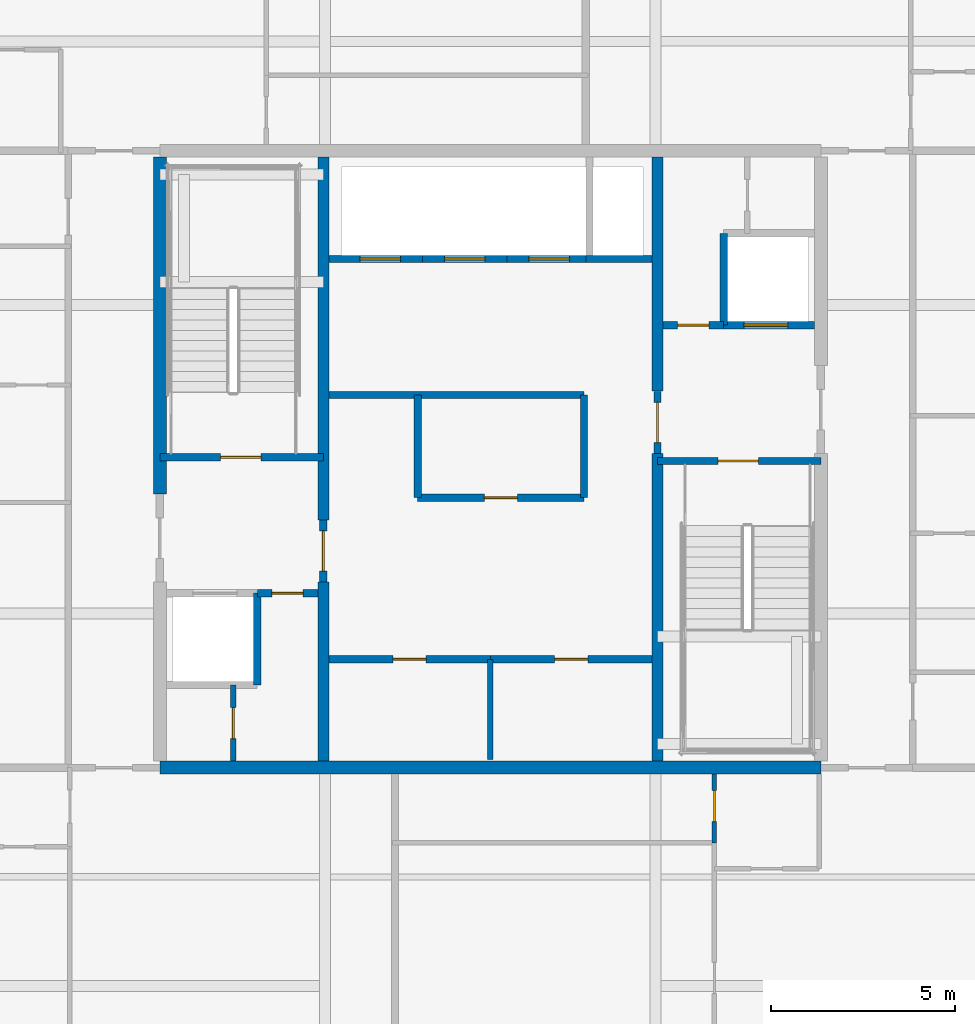
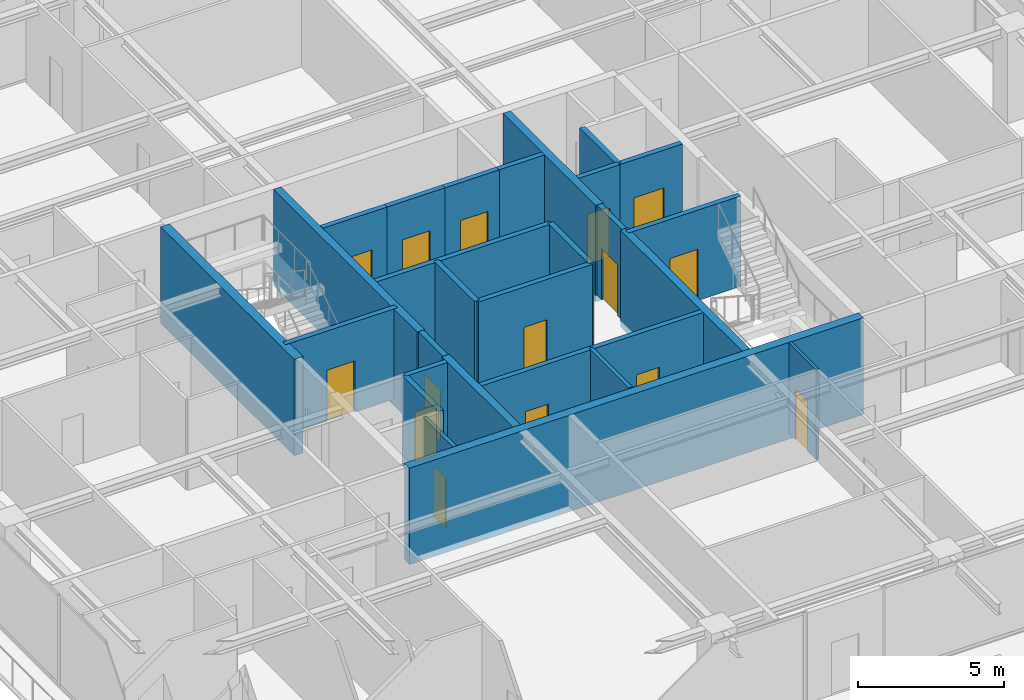
# One storey, part 32 of 42: 28 walls, 15 doors, 15 openings.
"""IFC4 building model written with IfcOpenShell, lengths in metres."""

from ifc_helpers import new_model, si_unit, direction, frame, frame_2d, origin, place, context, subcontext, project, spatial, rectangle, extrude, source, transform, mapped, material, layer, layer_set, type_object, element, fill, save


model = new_model("IFC4")

# Units and contexts
model_context = context("Model", 3, precision=1e-05, world=origin(), true_north=direction((0.0, 1.0)))
body_context = subcontext(model_context, "Body", "Model", "MODEL_VIEW")
ifc_project = project(units=[si_unit("LENGTHUNIT", "METRE"), si_unit("AREAUNIT", "SQUARE_METRE"), si_unit("VOLUMEUNIT", "CUBIC_METRE"), si_unit("PLANEANGLEUNIT", "RADIAN"), si_unit("MASSUNIT", "GRAM", prefix="KILO")], contexts=[model_context])

# Site, building, storey
site_placement = place(None, origin())
site = spatial("IfcSite", under=ifc_project, at=site_placement, CompositionType="ELEMENT")
building_placement = place(site_placement, origin())
building = spatial("IfcBuilding", under=site, at=building_placement, Name="Serunith Strait Residences", CompositionType="ELEMENT")
storey_placement = place(building_placement, frame((0.0, 0.0, 297.5)))
storey = spatial("IfcBuildingStorey", under=building, at=storey_placement, Name="L74", CompositionType="ELEMENT", Elevation=297.5)

# Wall, opening, door
ifc_material_1 = material(Name="Fire-rated masonry service closet wall", Category="masonry")
ifc_layer_1 = layer(ifc_material_1, 0.14990234375, Name="Fire-rated masonry service closet wall")
ifc_layer_set_1 = layer_set([ifc_layer_1], Name="Fire-rated masonry service closet wall")
wall_type_1 = type_object("IfcWallType", Name="IW-BOH-150", PredefinedType="PARTITIONING", material=ifc_layer_set_1)
wall_1_placement = place(storey_placement, frame((25.39990234375, 16.97509765625, 0.0), z_axis=(0.0, 0.0, 1.0), x_axis=(0.0, 1.0, 0.0)))
wall_1 = element("IfcWall", 1, at=wall_1_placement, inside=storey, type_object=wall_type_1, Name="L74 Partition Wall 011", PredefinedType="PARTITIONING", context=body_context, shape_type="SweptSolid", body=[
    extrude(rectangle(XDim=2.074951171875, YDim=0.14990234375, at=frame_2d((1.03759765625, 0.0))), origin(), (0.0, 0.0, 1.0), 3.7900390625),
])
opening_1_placement = place(wall_1_placement, frame((0.612060546875, 0.0, 0.0)))
opening_1 = element("IfcOpeningElement", 2, at=opening_1_placement, cuts=wall_1, Name="Opening FD-850", PredefinedType="OPENING", context=body_context, shape_type="SweptSolid", body=[
    extrude(rectangle(XDim=0.85009765625, YDim=2.10009765625, at=frame_2d((0.425048828125, 1.050048828125))), frame((0.0, 0.0849609375, 0.0), z_axis=(0.0, -1.0, 0.0), x_axis=(1.0, 0.0, 0.0)), (0.0, 0.0, 1.0), 0.169921875),
])
ifc_material_2 = material(Name="Powder-coated steel service closet door", Category="steel")
door_type_1 = type_object("IfcDoorType", Name="FD-BOH-850", OperationType="NOTDEFINED", PredefinedType="DOOR", material=ifc_material_2)
shared_shape_1 = source(origin(), body_context, "Body", "SweptSolid", [
    extrude(rectangle(XDim=0.85009765625, YDim=2.10009765625, at=frame_2d((0.425048828125, 1.050048828125))), frame((0.0, 0.02490234375, 0.0), z_axis=(0.0, -1.0, 0.0), x_axis=(1.0, 0.0, 0.0)), (0.0, 0.0, 1.0), 0.050048828125),
])
door_1_placement = place(opening_1_placement, origin())
door_1 = element("IfcDoor", 3, at=door_1_placement, inside=storey, type_object=door_type_1, Name="L74 Sprinkler Plant Door", OperationType="SINGLE_SWING_LEFT", OverallHeight=2.10009765625, OverallWidth=0.85009765625, PredefinedType="DOOR", context=body_context, shape_type="MappedRepresentation", body=[
    mapped(shared_shape_1, transform((0.0, 0.0, 0.0), scale=1.0)),
])
fill(opening_1, door_1)

# Wall
wall_2_placement = place(storey_placement, frame((32.39990234375, 17.02001953125, 0.0), z_axis=(0.0, 0.0, 1.0), x_axis=(0.0, 1.0, 0.0)))
element("IfcWall", 4, at=wall_2_placement, inside=storey, type_object=wall_type_1, Name="L74 Partition Wall 015", PredefinedType="PARTITIONING", context=body_context, shape_type="SweptSolid", body=[
    extrude(rectangle(XDim=2.72998046875, YDim=0.14990234375, at=frame_2d((1.364990234375, 0.0))), origin(), (0.0, 0.0, 1.0), 3.7900390625),
])

# Wall, opening, door
ifc_material_3 = material(Name="Lightweight steel-stud gypsum partition", Category="steel")
ifc_layer_2 = layer(ifc_material_3, 0.1201171875, Name="Lightweight steel-stud gypsum partition")
ifc_layer_set_2 = layer_set([ifc_layer_2], Name="Lightweight steel-stud gypsum partition")
wall_type_2 = type_object("IfcWallType", Name="IW-PART-120", PredefinedType="PARTITIONING", material=ifc_layer_set_2)
wall_3_placement = place(storey_placement, frame((38.5, 14.751953125, 0.0), z_axis=(0.0, 0.0, 1.0), x_axis=(0.0, 1.0, 0.0)))
wall_3 = element("IfcWall", 5, at=wall_3_placement, inside=storey, type_object=wall_type_2, Name="L74 Partition Wall 051", PredefinedType="PARTITIONING", context=body_context, shape_type="SweptSolid", body=[
    extrude(rectangle(XDim=1.873046875, YDim=0.1201171875, at=frame_2d((0.9365234375, 0.0))), origin(), (0.0, 0.0, 1.0), 3.7900390625),
])
opening_2_placement = place(wall_3_placement, frame((0.574951171875, 0.0, 0.0)))
opening_2 = element("IfcOpeningElement", 6, at=opening_2_placement, cuts=wall_3, Name="Opening D-BTH850", PredefinedType="OPENING", context=body_context, shape_type="SweptSolid", body=[
    extrude(rectangle(XDim=0.85009765625, YDim=2.10009765625, at=frame_2d((0.425048828125, 1.050048828125))), frame((0.0, 0.070068359375, 0.0), z_axis=(0.0, -1.0, 0.0), x_axis=(1.0, 0.0, 0.0)), (0.0, 0.0, 1.0), 0.14013671875),
])
ifc_material_4 = material(Name="Moisture-resistant timber bathroom door", Category="wood")
door_type_2 = type_object("IfcDoorType", Name="ID-BATH-850", OperationType="NOTDEFINED", PredefinedType="DOOR", material=ifc_material_4)
door_2_placement = place(opening_2_placement, origin())
door_2 = element("IfcDoor", 7, at=door_2_placement, inside=storey, type_object=door_type_2, Name="L74 Bathroom 7402 Door", OperationType="SINGLE_SWING_RIGHT", OverallHeight=2.10009765625, OverallWidth=0.85009765625, PredefinedType="DOOR", context=body_context, shape_type="MappedRepresentation", body=[
    mapped(shared_shape_1, transform((0.0, 0.0, 0.0), scale=1.0)),
])
fill(opening_2, door_2)

ifc_material_5 = material(Name="Autoclaved aerated concrete blockwork", Category="masonry")
ifc_layer_3 = layer(ifc_material_5, 0.199951171875, Name="Autoclaved aerated concrete blockwork")
ifc_layer_set_3 = layer_set([ifc_layer_3], Name="Autoclaved aerated concrete blockwork")
wall_type_3 = type_object("IfcWallType", Name="IW-SHAFT-200", PredefinedType="STANDARD", material=ifc_layer_set_3)
wall_4_placement = place(storey_placement, frame((23.39990234375, 25.25, 0.0), z_axis=(0.0, 0.0, 1.0), x_axis=(1.0, 0.0, 0.0)))
wall_4 = element("IfcWall", 8, at=wall_4_placement, inside=storey, type_object=wall_type_3, Name="L74 ST-1 South Shaft Wall", PredefinedType="STANDARD", context=body_context, shape_type="SweptSolid", body=[
    extrude(rectangle(XDim=4.4501953125, YDim=0.199951171875, at=frame_2d((2.22509765625, 0.0))), origin(), (0.0, 0.0, 1.0), 3.7900390625),
])
opening_3_placement = place(wall_4_placement, frame((1.64990234375, 0.0, 0.0)))
opening_3 = element("IfcOpeningElement", 9, at=opening_3_placement, cuts=wall_4, Name="Opening FD-1100", PredefinedType="OPENING", context=body_context, shape_type="SweptSolid", body=[
    extrude(rectangle(XDim=1.10009765625, YDim=2.14990234375, at=frame_2d((0.550048828125, 1.074951171875))), frame((0.0, 0.10986328125, 0.0), z_axis=(0.0, -1.0, 0.0), x_axis=(1.0, 0.0, 0.0)), (0.0, 0.0, 1.0), 0.219970703125),
])
ifc_material_6 = material(Name="Galvanised steel fire door leaf", Category="steel")
door_type_3 = type_object("IfcDoorType", Name="FD-STAIR-1100", OperationType="NOTDEFINED", PredefinedType="DOOR", material=ifc_material_6)
shared_shape_2 = source(origin(), body_context, "Body", "SweptSolid", [
    extrude(rectangle(XDim=1.10009765625, YDim=2.14990234375, at=frame_2d((0.550048828125, 1.074951171875))), frame((0.0, 0.02490234375, 0.0), z_axis=(0.0, -1.0, 0.0), x_axis=(1.0, 0.0, 0.0)), (0.0, 0.0, 1.0), 0.050048828125),
])
door_3_placement = place(opening_3_placement, origin())
door_3 = element("IfcDoor", 10, at=door_3_placement, inside=storey, type_object=door_type_3, Name="L74 ST-1 Escape Stair Door", OperationType="SINGLE_SWING_RIGHT", OverallHeight=2.14990234375, OverallWidth=1.10009765625, PredefinedType="DOOR", context=body_context, shape_type="MappedRepresentation", body=[
    mapped(shared_shape_2, transform((0.0, 0.0, 0.0), scale=1.0)),
])
fill(opening_3, door_3)

wall_5_placement = place(storey_placement, frame((36.949951171875, 25.14990234375, 0.0), z_axis=(0.0, 0.0, 1.0), x_axis=(1.0, 0.0, 0.0)))
wall_5 = element("IfcWall", 11, at=wall_5_placement, inside=storey, type_object=wall_type_3, Name="L74 ST-2 North Shaft Wall", PredefinedType="STANDARD", context=body_context, shape_type="SweptSolid", body=[
    extrude(rectangle(XDim=4.449951171875, YDim=0.199951171875, at=frame_2d((2.22509765625, 0.0))), origin(), (0.0, 0.0, 1.0), 3.7900390625),
])
opening_4_placement = place(wall_5_placement, frame((1.64990234375, 0.0, 0.0)))
opening_4 = element("IfcOpeningElement", 12, at=opening_4_placement, cuts=wall_5, Name="Opening FD-1100", PredefinedType="OPENING", context=body_context, shape_type="SweptSolid", body=[
    extrude(rectangle(XDim=1.10009765625, YDim=2.14990234375, at=frame_2d((0.550048828125, 1.074951171875))), frame((0.0, 0.10986328125, 0.0), z_axis=(0.0, -1.0, 0.0), x_axis=(1.0, 0.0, 0.0)), (0.0, 0.0, 1.0), 0.219970703125),
])
door_4_placement = place(opening_4_placement, origin())
door_4 = element("IfcDoor", 13, at=door_4_placement, inside=storey, type_object=door_type_3, Name="L74 ST-2 Escape Stair Door", OperationType="SINGLE_SWING_LEFT", OverallHeight=2.14990234375, OverallWidth=1.10009765625, PredefinedType="DOOR", context=body_context, shape_type="MappedRepresentation", body=[
    mapped(shared_shape_2, transform((0.0, 0.0, 0.0), scale=1.0)),
])
fill(opening_4, door_4)

wall_6_placement = place(storey_placement, frame((38.75, 28.85009765625, 0.0), z_axis=(0.0, 0.0, 1.0), x_axis=(1.0, 0.0, 0.0)))
wall_6 = element("IfcWall", 14, at=wall_6_placement, inside=storey, type_object=wall_type_3, Name="L74 FL-2 South Shaft Wall", PredefinedType="STANDARD", context=body_context, shape_type="SweptSolid", body=[
    extrude(rectangle(XDim=2.47509765625, YDim=0.199951171875, at=frame_2d((1.237548828125, 0.0))), origin(), (0.0, 0.0, 1.0), 3.7900390625),
])
opening_5_placement = place(wall_6_placement, frame((0.550048828125, 0.0, 0.0)))
opening_5 = element("IfcOpeningElement", 15, at=opening_5_placement, cuts=wall_6, Name="Opening LD-FF1200", PredefinedType="OPENING", context=body_context, shape_type="SweptSolid", body=[
    extrude(rectangle(XDim=1.199951171875, YDim=2.199951171875, at=frame_2d((0.60009765625, 1.10009765625))), frame((0.0, 0.10986328125, 0.0), z_axis=(0.0, -1.0, 0.0), x_axis=(1.0, 0.0, 0.0)), (0.0, 0.0, 1.0), 0.219970703125),
])
ifc_material_7 = material(Name="Brushed stainless steel landing door", Category="steel")
door_type_4 = type_object("IfcDoorType", Name="LD-FF-1200", OperationType="DOUBLE_DOOR_SLIDING", PredefinedType="DOOR", material=ifc_material_7)
shared_shape_3 = source(origin(), body_context, "Body", "SweptSolid", [
    extrude(rectangle(XDim=1.199951171875, YDim=2.199951171875, at=frame_2d((0.60009765625, 1.10009765625))), frame((0.0, 0.02490234375, 0.0), z_axis=(0.0, -1.0, 0.0), x_axis=(1.0, 0.0, 0.0)), (0.0, 0.0, 1.0), 0.050048828125),
])
door_5_placement = place(opening_5_placement, origin())
door_5 = element("IfcDoor", 16, at=door_5_placement, inside=storey, type_object=door_type_4, Name="L74 FL-2 Landing Door", OperationType="DOUBLE_DOOR_SLIDING", OverallHeight=2.199951171875, OverallWidth=1.199951171875, PredefinedType="DOOR", context=body_context, shape_type="MappedRepresentation", body=[
    mapped(shared_shape_3, transform((0.0, 0.0, 0.0), scale=1.0)),
])
fill(opening_5, door_5)

wall_7_placement = place(storey_placement, frame((28.0, 30.64990234375, 0.0), z_axis=(0.0, 0.0, 1.0), x_axis=(1.0, 0.0, 0.0)))
wall_7 = element("IfcWall", 17, at=wall_7_placement, inside=storey, type_object=wall_type_3, Name="L74 PL-7 South Shaft Wall", PredefinedType="STANDARD", context=body_context, shape_type="SweptSolid", body=[
    extrude(rectangle(XDim=2.550048828125, YDim=0.199951171875, at=frame_2d((1.27490234375, 0.0))), origin(), (0.0, 0.0, 1.0), 3.7900390625),
])
opening_6_placement = place(wall_7_placement, frame((0.85009765625, 0.0, 0.0)))
opening_6 = element("IfcOpeningElement", 18, at=opening_6_placement, cuts=wall_7, Name="Opening LD-1100", PredefinedType="OPENING", context=body_context, shape_type="SweptSolid", body=[
    extrude(rectangle(XDim=1.10009765625, YDim=2.199951171875, at=frame_2d((0.550048828125, 1.10009765625))), frame((0.0, 0.10986328125, 0.0), z_axis=(0.0, -1.0, 0.0), x_axis=(1.0, 0.0, 0.0)), (0.0, 0.0, 1.0), 0.219970703125),
])
ifc_material_8 = material(Name="Pale-champagne stainless landing door")
door_type_5 = type_object("IfcDoorType", Name="LD-LIFT-1100", OperationType="DOUBLE_DOOR_SLIDING", PredefinedType="DOOR", material=ifc_material_8)
shared_shape_4 = source(origin(), body_context, "Body", "SweptSolid", [
    extrude(rectangle(XDim=1.10009765625, YDim=2.199951171875, at=frame_2d((0.550048828125, 1.10009765625))), frame((0.0, 0.02490234375, 0.0), z_axis=(0.0, -1.0, 0.0), x_axis=(1.0, 0.0, 0.0)), (0.0, 0.0, 1.0), 0.050048828125),
])
door_6_placement = place(opening_6_placement, origin())
door_6 = element("IfcDoor", 19, at=door_6_placement, inside=storey, type_object=door_type_5, Name="L74 PL-7 Landing Door", OperationType="DOUBLE_DOOR_SLIDING", OverallHeight=2.199951171875, OverallWidth=1.10009765625, PredefinedType="DOOR", context=body_context, shape_type="MappedRepresentation", body=[
    mapped(shared_shape_4, transform((0.0, 0.0, 0.0), scale=1.0)),
])
fill(opening_6, door_6)

wall_8_placement = place(storey_placement, frame((30.550048828125, 30.64990234375, 0.0), z_axis=(0.0, 0.0, 1.0), x_axis=(1.0, 0.0, 0.0)))
wall_8 = element("IfcWall", 20, at=wall_8_placement, inside=storey, type_object=wall_type_3, Name="L74 PL-8 South Shaft Wall", PredefinedType="STANDARD", context=body_context, shape_type="SweptSolid", body=[
    extrude(rectangle(XDim=2.300048828125, YDim=0.199951171875, at=frame_2d((1.14990234375, 0.0))), origin(), (0.0, 0.0, 1.0), 3.7900390625),
])
opening_7_placement = place(wall_8_placement, frame((0.60009765625, 0.0, 0.0)))
opening_7 = element("IfcOpeningElement", 21, at=opening_7_placement, cuts=wall_8, Name="Opening LD-1100", PredefinedType="OPENING", context=body_context, shape_type="SweptSolid", body=[
    extrude(rectangle(XDim=1.10009765625, YDim=2.199951171875, at=frame_2d((0.550048828125, 1.10009765625))), frame((0.0, 0.10986328125, 0.0), z_axis=(0.0, -1.0, 0.0), x_axis=(1.0, 0.0, 0.0)), (0.0, 0.0, 1.0), 0.219970703125),
])
door_7_placement = place(opening_7_placement, origin())
door_7 = element("IfcDoor", 22, at=door_7_placement, inside=storey, type_object=door_type_5, Name="L74 PL-8 Landing Door", OperationType="DOUBLE_DOOR_SLIDING", OverallHeight=2.199951171875, OverallWidth=1.10009765625, PredefinedType="DOOR", context=body_context, shape_type="MappedRepresentation", body=[
    mapped(shared_shape_4, transform((0.0, 0.0, 0.0), scale=1.0)),
])
fill(opening_7, door_7)

wall_9_placement = place(storey_placement, frame((32.85009765625, 30.64990234375, 0.0), z_axis=(0.0, 0.0, 1.0), x_axis=(1.0, 0.0, 0.0)))
wall_9 = element("IfcWall", 23, at=wall_9_placement, inside=storey, type_object=wall_type_3, Name="L74 PL-9 South Shaft Wall", PredefinedType="STANDARD", context=body_context, shape_type="SweptSolid", body=[
    extrude(rectangle(XDim=2.14990234375, YDim=0.199951171875, at=frame_2d((1.074951171875, 0.0))), origin(), (0.0, 0.0, 1.0), 3.7900390625),
])
opening_8_placement = place(wall_9_placement, frame((0.60009765625, 0.0, 0.0)))
opening_8 = element("IfcOpeningElement", 24, at=opening_8_placement, cuts=wall_9, Name="Opening LD-1100", PredefinedType="OPENING", context=body_context, shape_type="SweptSolid", body=[
    extrude(rectangle(XDim=1.10009765625, YDim=2.199951171875, at=frame_2d((0.550048828125, 1.10009765625))), frame((0.0, 0.10986328125, 0.0), z_axis=(0.0, -1.0, 0.0), x_axis=(1.0, 0.0, 0.0)), (0.0, 0.0, 1.0), 0.219970703125),
])
door_8_placement = place(opening_8_placement, origin())
door_8 = element("IfcDoor", 25, at=door_8_placement, inside=storey, type_object=door_type_5, Name="L74 PL-9 Landing Door", OperationType="DOUBLE_DOOR_SLIDING", OverallHeight=2.199951171875, OverallWidth=1.10009765625, PredefinedType="DOOR", context=body_context, shape_type="MappedRepresentation", body=[
    mapped(shared_shape_4, transform((0.0, 0.0, 0.0), scale=1.0)),
])
fill(opening_8, door_8)

# Walls
wall_10_placement = place(storey_placement, frame((35.0, 30.64990234375, 0.0), z_axis=(0.0, 0.0, 1.0), x_axis=(1.0, 0.0, 0.0)))
element("IfcWall", 26, at=wall_10_placement, inside=storey, type_object=wall_type_3, Name="L74 SL-1 South Shaft Wall", PredefinedType="STANDARD", context=body_context, shape_type="SweptSolid", body=[
    extrude(rectangle(XDim=1.800048828125, YDim=0.199951171875, at=frame_2d((0.89990234375, 0.0))), origin(), (0.0, 0.0, 1.0), 3.7900390625),
])
wall_11_placement = place(storey_placement, frame((26.050048828125, 19.050048828125, 0.0), z_axis=(0.0, 0.0, 1.0), x_axis=(0.0, 1.0, 0.0)))
element("IfcWall", 27, at=wall_11_placement, inside=storey, type_object=wall_type_3, Name="L74 Partition Wall 001", PredefinedType="STANDARD", context=body_context, shape_type="SweptSolid", body=[
    extrude(rectangle(XDim=2.5, YDim=0.199951171875, at=frame_2d((1.25, 0.0))), origin(), (0.0, 0.0, 1.0), 3.7900390625),
])

# Wall, opening, door
wall_12_placement = place(storey_placement, frame((26.052001953125, 21.550048828125, 0.0), z_axis=(0.0, 0.0, 1.0), x_axis=(1.0, 0.0, 0.0)))
wall_12 = element("IfcWall", 28, at=wall_12_placement, inside=storey, type_object=wall_type_3, Name="L74 Partition Wall 003", PredefinedType="STANDARD", context=body_context, shape_type="SweptSolid", body=[
    extrude(rectangle(XDim=1.64794921875, YDim=0.199951171875, at=frame_2d((0.823974609375, 0.0))), origin(), (0.0, 0.0, 1.0), 3.7900390625),
])
opening_9_placement = place(wall_12_placement, frame((0.39892578125, 0.0, 0.0)))
opening_9 = element("IfcOpeningElement", 29, at=opening_9_placement, cuts=wall_12, Name="Opening FD-850", PredefinedType="OPENING", context=body_context, shape_type="SweptSolid", body=[
    extrude(rectangle(XDim=0.85009765625, YDim=2.10009765625, at=frame_2d((0.425048828125, 1.050048828125))), frame((0.0, 0.10986328125, 0.0), z_axis=(0.0, -1.0, 0.0), x_axis=(1.0, 0.0, 0.0)), (0.0, 0.0, 1.0), 0.219970703125),
])
door_9_placement = place(opening_9_placement, origin())
door_9 = element("IfcDoor", 30, at=door_9_placement, inside=storey, type_object=door_type_1, Name="L74 South-West Core Service Door", OperationType="SINGLE_SWING_LEFT", OverallHeight=2.10009765625, OverallWidth=0.85009765625, PredefinedType="DOOR", context=body_context, shape_type="MappedRepresentation", body=[
    mapped(shared_shape_1, transform((0.0, 0.0, 0.0), scale=1.0)),
])
fill(opening_9, door_9)

# Wall
wall_13_placement = place(storey_placement, frame((38.75, 28.85009765625, 0.0), z_axis=(0.0, 0.0, 1.0), x_axis=(0.0, 1.0, 0.0)))
element("IfcWall", 31, at=wall_13_placement, inside=storey, type_object=wall_type_3, Name="L74 Partition Wall 004", PredefinedType="STANDARD", context=body_context, shape_type="SweptSolid", body=[
    extrude(rectangle(XDim=2.5, YDim=0.199951171875, at=frame_2d((1.25, 0.0))), origin(), (0.0, 0.0, 1.0), 3.7900390625),
])

# Wall, opening, door
wall_14_placement = place(storey_placement, frame((37.10009765625, 28.85009765625, 0.0), z_axis=(0.0, 0.0, 1.0), x_axis=(1.0, 0.0, 0.0)))
wall_14 = element("IfcWall", 32, at=wall_14_placement, inside=storey, type_object=wall_type_3, Name="L74 Partition Wall 006", PredefinedType="STANDARD", context=body_context, shape_type="SweptSolid", body=[
    extrude(rectangle(XDim=1.64794921875, YDim=0.199951171875, at=frame_2d((0.823974609375, 0.0))), origin(), (0.0, 0.0, 1.0), 3.7900390625),
])
opening_10_placement = place(wall_14_placement, frame((0.39892578125, 0.0, 0.0)))
opening_10 = element("IfcOpeningElement", 33, at=opening_10_placement, cuts=wall_14, Name="Opening FD-850", PredefinedType="OPENING", context=body_context, shape_type="SweptSolid", body=[
    extrude(rectangle(XDim=0.85009765625, YDim=2.10009765625, at=frame_2d((0.425048828125, 1.050048828125))), frame((0.0, 0.10986328125, 0.0), z_axis=(0.0, -1.0, 0.0), x_axis=(1.0, 0.0, 0.0)), (0.0, 0.0, 1.0), 0.219970703125),
])
door_10_placement = place(opening_10_placement, origin())
door_10 = element("IfcDoor", 34, at=door_10_placement, inside=storey, type_object=door_type_1, Name="L74 North-East Core Service Door", OperationType="SINGLE_SWING_RIGHT", OverallHeight=2.10009765625, OverallWidth=0.85009765625, PredefinedType="DOOR", context=body_context, shape_type="MappedRepresentation", body=[
    mapped(shared_shape_1, transform((0.0, 0.0, 0.0), scale=1.0)),
])
fill(opening_10, door_10)

wall_15_placement = place(storey_placement, frame((27.85009765625, 21.85205078125, 0.0), z_axis=(0.0, 0.0, 1.0), x_axis=(0.0, 1.0, 0.0)))
wall_15 = element("IfcWall", 35, at=wall_15_placement, inside=storey, type_object=wall_type_3, Name="L74 Partition Wall 009", PredefinedType="STANDARD", context=body_context, shape_type="SweptSolid", body=[
    extrude(rectangle(XDim=1.696044921875, YDim=0.199951171875, at=frame_2d((0.84814453125, 0.0))), origin(), (0.0, 0.0, 1.0), 3.7900390625),
])
opening_11_placement = place(wall_15_placement, frame((0.298095703125, 0.0, 0.0)))
opening_11 = element("IfcOpeningElement", 36, at=opening_11_placement, cuts=wall_15, Name="Opening FD-FFL", PredefinedType="OPENING", context=body_context, shape_type="SweptSolid", body=[
    extrude(rectangle(XDim=1.10009765625, YDim=2.14990234375, at=frame_2d((0.550048828125, 1.074951171875))), frame((0.0, 0.10986328125, 0.0), z_axis=(0.0, -1.0, 0.0), x_axis=(1.0, 0.0, 0.0)), (0.0, 0.0, 1.0), 0.219970703125),
])
ifc_material_9 = material(Name="Glazed steel smoke-lobby fire door", Category="steel")
door_type_6 = type_object("IfcDoorType", Name="FD-FFL-1100", OperationType="NOTDEFINED", PredefinedType="DOOR", material=ifc_material_9)
door_11_placement = place(opening_11_placement, origin())
door_11 = element("IfcDoor", 37, at=door_11_placement, inside=storey, type_object=door_type_6, Name="L74 FFL-1 Lift Lobby Door", OperationType="SINGLE_SWING_LEFT", OverallHeight=2.14990234375, OverallWidth=1.10009765625, PredefinedType="DOOR", context=body_context, shape_type="MappedRepresentation", body=[
    mapped(shared_shape_2, transform((0.0, 0.0, 0.0), scale=1.0)),
])
fill(opening_11, door_11)

wall_16_placement = place(storey_placement, frame((36.949951171875, 25.35205078125, 0.0), z_axis=(0.0, 0.0, 1.0), x_axis=(0.0, 1.0, 0.0)))
wall_16 = element("IfcWall", 38, at=wall_16_placement, inside=storey, type_object=wall_type_3, Name="L74 Partition Wall 010", PredefinedType="STANDARD", context=body_context, shape_type="SweptSolid", body=[
    extrude(rectangle(XDim=1.696044921875, YDim=0.199951171875, at=frame_2d((0.84814453125, 0.0))), origin(), (0.0, 0.0, 1.0), 3.7900390625),
])
opening_12_placement = place(wall_16_placement, frame((0.298095703125, 0.0, 0.0)))
opening_12 = element("IfcOpeningElement", 39, at=opening_12_placement, cuts=wall_16, Name="Opening FD-FFL", PredefinedType="OPENING", context=body_context, shape_type="SweptSolid", body=[
    extrude(rectangle(XDim=1.10009765625, YDim=2.14990234375, at=frame_2d((0.550048828125, 1.074951171875))), frame((0.0, 0.10986328125, 0.0), z_axis=(0.0, -1.0, 0.0), x_axis=(1.0, 0.0, 0.0)), (0.0, 0.0, 1.0), 0.219970703125),
])
door_12_placement = place(opening_12_placement, origin())
door_12 = element("IfcDoor", 40, at=door_12_placement, inside=storey, type_object=door_type_6, Name="L74 FFL-2 Lift Lobby Door", OperationType="SINGLE_SWING_RIGHT", OverallHeight=2.14990234375, OverallWidth=1.10009765625, PredefinedType="DOOR", context=body_context, shape_type="MappedRepresentation", body=[
    mapped(shared_shape_2, transform((0.0, 0.0, 0.0), scale=1.0)),
])
fill(opening_12, door_12)

wall_17_placement = place(storey_placement, frame((28.0, 19.75, 0.0), z_axis=(0.0, 0.0, 1.0), x_axis=(1.0, 0.0, 0.0)))
wall_17 = element("IfcWall", 41, at=wall_17_placement, inside=storey, type_object=wall_type_3, Name="L74 Partition Wall 013", PredefinedType="STANDARD", context=body_context, shape_type="SweptSolid", body=[
    extrude(rectangle(XDim=4.39990234375, YDim=0.199951171875, at=frame_2d((2.199951171875, 0.0))), origin(), (0.0, 0.0, 1.0), 3.7900390625),
])
opening_13_placement = place(wall_17_placement, frame((1.75, 0.0, 0.0)))
opening_13 = element("IfcOpeningElement", 42, at=opening_13_placement, cuts=wall_17, Name="Opening FD-900", PredefinedType="OPENING", context=body_context, shape_type="SweptSolid", body=[
    extrude(rectangle(XDim=0.89990234375, YDim=2.10009765625, at=frame_2d((0.449951171875, 1.050048828125))), frame((0.0, 0.10986328125, 0.0), z_axis=(0.0, -1.0, 0.0), x_axis=(1.0, 0.0, 0.0)), (0.0, 0.0, 1.0), 0.219970703125),
])
ifc_material_10 = material(Name="Powder-coated steel riser door", Category="steel")
door_type_7 = type_object("IfcDoorType", Name="FD-BOH-900", OperationType="NOTDEFINED", PredefinedType="DOOR", material=ifc_material_10)
shared_shape_5 = source(origin(), body_context, "Body", "SweptSolid", [
    extrude(rectangle(XDim=0.89990234375, YDim=2.10009765625, at=frame_2d((0.449951171875, 1.050048828125))), frame((0.0, 0.02490234375, 0.0), z_axis=(0.0, -1.0, 0.0), x_axis=(1.0, 0.0, 0.0)), (0.0, 0.0, 1.0), 0.050048828125),
])
door_13_placement = place(opening_13_placement, origin())
door_13 = element("IfcDoor", 43, at=door_13_placement, inside=storey, type_object=door_type_7, Name="L74 Fan-Coil Plant Door", OperationType="SINGLE_SWING_LEFT", OverallHeight=2.10009765625, OverallWidth=0.89990234375, PredefinedType="DOOR", context=body_context, shape_type="MappedRepresentation", body=[
    mapped(shared_shape_5, transform((0.0, 0.0, 0.0), scale=1.0)),
])
fill(opening_13, door_13)

wall_18_placement = place(storey_placement, frame((32.402099609375, 19.75, 0.0), z_axis=(0.0, 0.0, 1.0), x_axis=(1.0, 0.0, 0.0)))
wall_18 = element("IfcWall", 44, at=wall_18_placement, inside=storey, type_object=wall_type_3, Name="L74 Partition Wall 014", PredefinedType="STANDARD", context=body_context, shape_type="SweptSolid", body=[
    extrude(rectangle(XDim=4.39794921875, YDim=0.199951171875, at=frame_2d((2.198974609375, 0.0))), origin(), (0.0, 0.0, 1.0), 3.7900390625),
])
opening_14_placement = place(wall_18_placement, frame((1.7490234375, 0.0, 0.0)))
opening_14 = element("IfcOpeningElement", 45, at=opening_14_placement, cuts=wall_18, Name="Opening FD-900", PredefinedType="OPENING", context=body_context, shape_type="SweptSolid", body=[
    extrude(rectangle(XDim=0.89990234375, YDim=2.10009765625, at=frame_2d((0.449951171875, 1.050048828125))), frame((0.0, 0.10986328125, 0.0), z_axis=(0.0, -1.0, 0.0), x_axis=(1.0, 0.0, 0.0)), (0.0, 0.0, 1.0), 0.219970703125),
])
door_14_placement = place(opening_14_placement, origin())
door_14 = element("IfcDoor", 46, at=door_14_placement, inside=storey, type_object=door_type_7, Name="L74 Battery UPS Plant Door", OperationType="SINGLE_SWING_RIGHT", OverallHeight=2.10009765625, OverallWidth=0.89990234375, PredefinedType="DOOR", context=body_context, shape_type="MappedRepresentation", body=[
    mapped(shared_shape_5, transform((0.0, 0.0, 0.0), scale=1.0)),
])
fill(opening_14, door_14)

# Walls
wall_19_placement = place(storey_placement, frame((28.0, 26.949951171875, 0.0), z_axis=(0.0, 0.0, 1.0), x_axis=(1.0, 0.0, 0.0)))
element("IfcWall", 47, at=wall_19_placement, inside=storey, type_object=wall_type_3, Name="L74 Partition Wall 016", PredefinedType="STANDARD", context=body_context, shape_type="SweptSolid", body=[
    extrude(rectangle(XDim=6.949951171875, YDim=0.199951171875, at=frame_2d((3.47509765625, 0.0))), origin(), (0.0, 0.0, 1.0), 3.7900390625),
])
wall_20_placement = place(storey_placement, frame((34.949951171875, 24.14990234375, 0.0), z_axis=(0.0, 0.0, 1.0), x_axis=(0.0, 1.0, 0.0)))
element("IfcWall", 48, at=wall_20_placement, inside=storey, type_object=wall_type_3, Name="L74 Partition Wall 017", PredefinedType="STANDARD", context=body_context, shape_type="SweptSolid", body=[
    extrude(rectangle(XDim=2.800048828125, YDim=0.199951171875, at=frame_2d((1.39990234375, 0.0))), origin(), (0.0, 0.0, 1.0), 3.7900390625),
])

# Wall, opening, door
wall_21_placement = place(storey_placement, frame((30.419921875, 24.14990234375, 0.0), z_axis=(0.0, 0.0, 1.0), x_axis=(1.0, 0.0, 0.0)))
wall_21 = element("IfcWall", 49, at=wall_21_placement, inside=storey, type_object=wall_type_3, Name="L74 Partition Wall 018", PredefinedType="STANDARD", context=body_context, shape_type="SweptSolid", body=[
    extrude(rectangle(XDim=4.530029296875, YDim=0.199951171875, at=frame_2d((2.26513671875, 0.0))), origin(), (0.0, 0.0, 1.0), 3.7900390625),
])
opening_15_placement = place(wall_21_placement, frame((1.81494140625, 0.0, 0.0)))
opening_15 = element("IfcOpeningElement", 50, at=opening_15_placement, cuts=wall_21, Name="Opening FD-900", PredefinedType="OPENING", context=body_context, shape_type="SweptSolid", body=[
    extrude(rectangle(XDim=0.89990234375, YDim=2.10009765625, at=frame_2d((0.449951171875, 1.050048828125))), frame((0.0, 0.10986328125, 0.0), z_axis=(0.0, -1.0, 0.0), x_axis=(1.0, 0.0, 0.0)), (0.0, 0.0, 1.0), 0.219970703125),
])
door_15_placement = place(opening_15_placement, origin())
door_15 = element("IfcDoor", 51, at=door_15_placement, inside=storey, type_object=door_type_7, Name="L74 Housekeeping Linen Door", OperationType="SINGLE_SWING_LEFT", OverallHeight=2.10009765625, OverallWidth=0.89990234375, PredefinedType="DOOR", context=body_context, shape_type="MappedRepresentation", body=[
    mapped(shared_shape_5, transform((0.0, 0.0, 0.0), scale=1.0)),
])
fill(opening_15, door_15)

# Walls
wall_22_placement = place(storey_placement, frame((30.419921875, 24.14990234375, 0.0), z_axis=(0.0, 0.0, 1.0), x_axis=(0.0, 1.0, 0.0)))
element("IfcWall", 52, at=wall_22_placement, inside=storey, type_object=wall_type_3, Name="L74 Partition Wall 019", PredefinedType="STANDARD", context=body_context, shape_type="SweptSolid", body=[
    extrude(rectangle(XDim=2.800048828125, YDim=0.199951171875, at=frame_2d((1.39990234375, 0.0))), origin(), (0.0, 0.0, 1.0), 3.7900390625),
])
ifc_material_11 = material(Name="Concrete C60/75", Category="concrete")
ifc_layer_4 = layer(ifc_material_11, 0.300048828125, Name="Concrete C60/75")
ifc_layer_set_4 = layer_set([ifc_layer_4], Name="Concrete C60/75")
wall_type_4 = type_object("IfcWallType", Name="SW-300-C60", PredefinedType="SHEAR", material=ifc_layer_set_4)
wall_23_placement = place(storey_placement, frame((27.85009765625, 16.97509765625, -0.260009765625), z_axis=(0.0, 0.0, 1.0), x_axis=(0.0, 1.0, 0.0)))
element("IfcWall", 53, at=wall_23_placement, inside=storey, type_object=wall_type_4, Name="L74 Core Internal West Web South Pier", PredefinedType="SHEAR", context=body_context, shape_type="SweptSolid", body=[
    extrude(rectangle(XDim=4.875, YDim=0.300048828125, at=frame_2d((2.4375, 0.0))), origin(), (0.0, 0.0, 1.0), 4.048095703125),
])
wall_24_placement = place(storey_placement, frame((27.85009765625, 23.550048828125, -0.260009765625), z_axis=(0.0, 0.0, 1.0), x_axis=(0.0, 1.0, 0.0)))
element("IfcWall", 54, at=wall_24_placement, inside=storey, type_object=wall_type_4, Name="L74 Core Internal West Web North Pier", PredefinedType="SHEAR", context=body_context, shape_type="SweptSolid", body=[
    extrude(rectangle(XDim=9.875, YDim=0.300048828125, at=frame_2d((4.9375, 0.0))), origin(), (0.0, 0.0, 1.0), 4.048095703125),
])
wall_25_placement = place(storey_placement, frame((36.949951171875, 16.97509765625, -0.260009765625), z_axis=(0.0, 0.0, 1.0), x_axis=(0.0, 1.0, 0.0)))
element("IfcWall", 55, at=wall_25_placement, inside=storey, type_object=wall_type_4, Name="L74 Core Internal East Web South Pier", PredefinedType="SHEAR", context=body_context, shape_type="SweptSolid", body=[
    extrude(rectangle(XDim=8.375, YDim=0.300048828125, at=frame_2d((4.1875, 0.0))), origin(), (0.0, 0.0, 1.0), 4.048095703125),
])
wall_26_placement = place(storey_placement, frame((36.949951171875, 27.050048828125, -0.260009765625), z_axis=(0.0, 0.0, 1.0), x_axis=(0.0, 1.0, 0.0)))
element("IfcWall", 56, at=wall_26_placement, inside=storey, type_object=wall_type_4, Name="L74 Core Internal East Web North Pier", PredefinedType="SHEAR", context=body_context, shape_type="SweptSolid", body=[
    extrude(rectangle(XDim=6.375, YDim=0.300048828125, at=frame_2d((3.1875, 0.0))), origin(), (0.0, 0.0, 1.0), 4.048095703125),
])
ifc_layer_5 = layer(ifc_material_11, 0.35009765625, Name="Concrete C60/75")
ifc_layer_set_5 = layer_set([ifc_layer_5], Name="Concrete C60/75")
wall_type_5 = type_object("IfcWallType", Name="SW-350-C60", PredefinedType="SHEAR", material=ifc_layer_set_5)
wall_27_placement = place(storey_placement, frame((23.39990234375, 16.800048828125, -0.260009765625), z_axis=(0.0, 0.0, 1.0), x_axis=(1.0, 0.0, 0.0)))
element("IfcWall", 57, at=wall_27_placement, inside=storey, type_object=wall_type_5, Name="L74 Core South Shear Wall", PredefinedType="SHEAR", context=body_context, shape_type="SweptSolid", body=[
    extrude(rectangle(XDim=18.0, YDim=0.35009765625, at=frame_2d((9.0, 0.0))), origin(), (0.0, 0.0, 1.0), 4.048095703125),
])
wall_28_placement = place(storey_placement, frame((23.39990234375, 24.25, -0.260009765625), z_axis=(0.0, 0.0, 1.0), x_axis=(0.0, 1.0, 0.0)))
element("IfcWall", 58, at=wall_28_placement, inside=storey, type_object=wall_type_5, Name="L74 Core West Shear Wall North Pier", PredefinedType="SHEAR", context=body_context, shape_type="SweptSolid", body=[
    extrude(rectangle(XDim=9.175048828125, YDim=0.35009765625, at=frame_2d((4.58740234375, 0.0))), origin(), (0.0, 0.0, 1.0), 4.048095703125),
])

save(model, "model.ifc")
